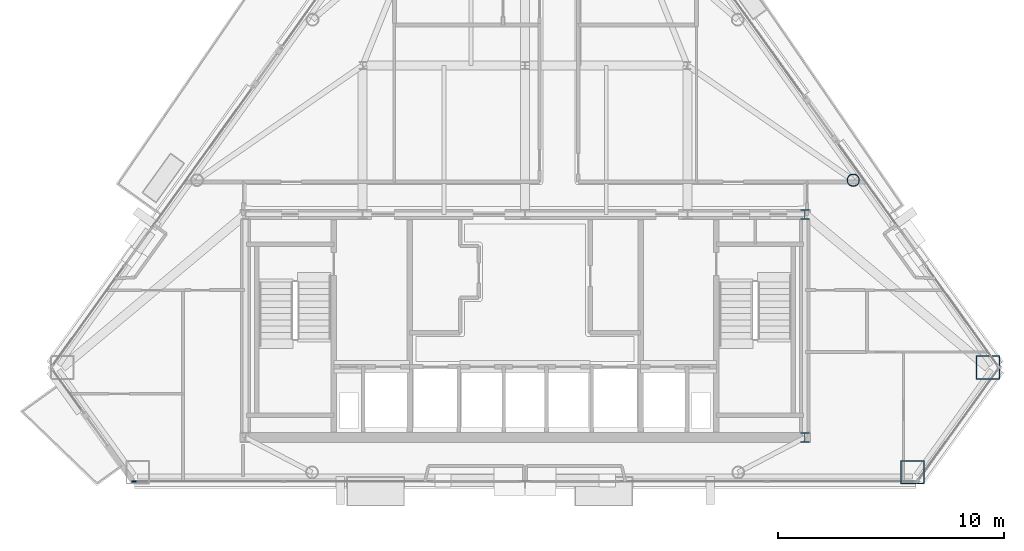
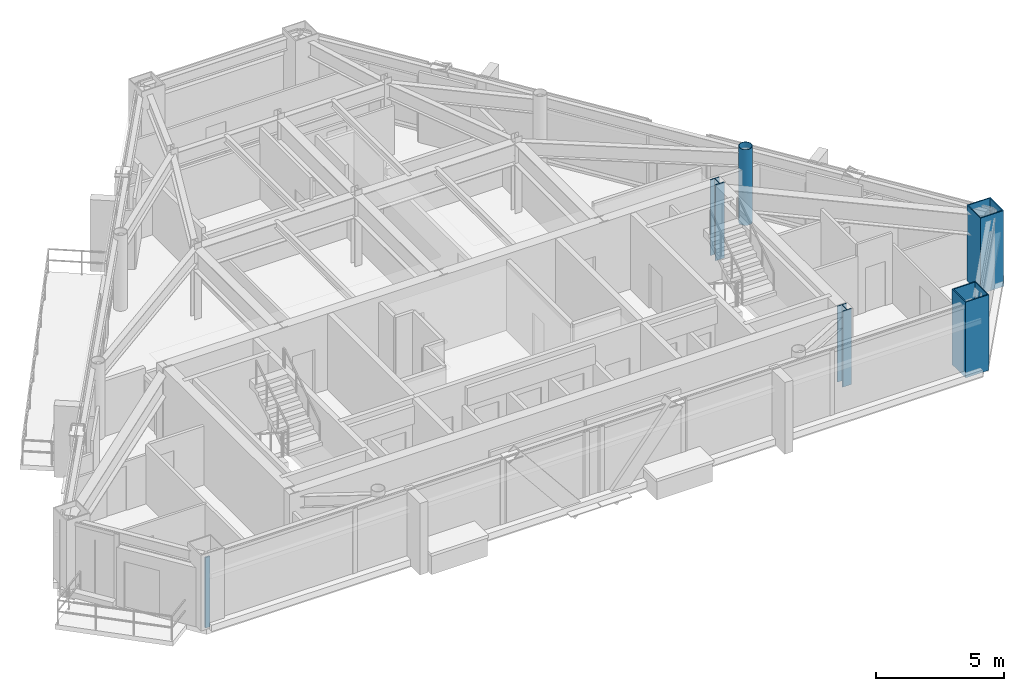
# One storey, part 2 of 12: 5 columns, 1 member, 1 element without a shape of its own.
"""IFC4 building model written with IfcOpenShell, lengths in metres."""

from ifc_helpers import new_model, si_unit, direction, frame, origin, origin_2d, place, context, subcontext, project, spatial, rectangle, hollow_rectangle, hollow_circle, i_section, extrude, material, layer, layer_set, material_profile, profile_set, type_object, element, aggregate, save


model = new_model("IFC4")

# Units and contexts
model_context = context("Model", 3, precision=1e-05, world=origin(), true_north=direction((0.0, 1.0)))
body_context = subcontext(model_context, "Body", "Model", "MODEL_VIEW")
ifc_project = project(units=[si_unit("LENGTHUNIT", "METRE"), si_unit("AREAUNIT", "SQUARE_METRE"), si_unit("VOLUMEUNIT", "CUBIC_METRE"), si_unit("PLANEANGLEUNIT", "RADIAN"), si_unit("MASSUNIT", "GRAM", prefix="KILO")], contexts=[model_context])

# Site, building, storey
site_placement = place(None, origin())
site = spatial("IfcSite", under=ifc_project, at=site_placement, CompositionType="ELEMENT")
building_placement = place(site_placement, origin())
building = spatial("IfcBuilding", under=site, at=building_placement, Name="Talgorran Terracotta Tower", CompositionType="ELEMENT")
storey_placement = place(building_placement, frame((0.0, 0.0, 189.300048828125)))
storey = spatial("IfcBuildingStorey", under=building, at=storey_placement, Name="L49", CompositionType="ELEMENT", Elevation=189.300048828125)

# Columns
ifc_material_1 = material(Name="Steel S355 (300PLUS)", Category="steel")
ifc_material_profile_1 = material_profile(ifc_material_1, i_section(OverallWidth=0.39990234375, OverallDepth=0.43994140625, WebThickness=0.028076171875, FlangeThickness=0.0400390625, at=origin_2d()), Name="400WC328")
ifc_profile_set_1 = profile_set([ifc_material_profile_1], Name="Steel S355 (300PLUS)")
column_type_1 = type_object("IfcColumnType", Name="COL_400WC328", PredefinedType="COLUMN", material=ifc_profile_set_1)
for number, where, z_axis, x_axis, name in (
    (1, (12.39990234375, -14.10009765625, 0.0), (0.0, 0.0, 1.0), (1.0, 0.0, 0.0), "L49 Core Boundary Column CC2"),
    (2, (12.39990234375, -4.199951171875, 0.0), (0.0, 0.0, 1.0), (1.0, 0.0, 0.0), "L49 Core Boundary Column CC3"),
):
    element("IfcColumn", number, at=place(storey_placement, frame(where, z_axis=z_axis, x_axis=x_axis)), inside=storey, type_object=column_type_1, Name=name, PredefinedType="COLUMN", context=body_context, shape_type="SweptSolid", body=[
        extrude(i_section(OverallWidth=0.39990234375, OverallDepth=0.43994140625, WebThickness=0.028076171875, FlangeThickness=0.0400390625, at=origin_2d()), origin(), (0.0, 0.0, 1.0), 3.599853515625),
    ])
ifc_material_2 = material(Name="Steel Grade 350 (350L0)", Category="steel")
ifc_material_profile_2 = material_profile(ifc_material_2, hollow_rectangle(XDim=1.050048828125, YDim=1.050048828125, WallThickness=0.044921875, at=origin_2d()), Name="CFT1050X1050X45")
ifc_profile_set_2 = profile_set([ifc_material_profile_2], Name="Steel Grade 350 (350L0)")
column_type_2 = type_object("IfcColumnType", Name="COL_CFT_1050", PredefinedType="COLUMN", material=ifc_profile_set_2)
for number, where, z_axis, x_axis, name in (
    (3, (17.1796875, -15.64111328125, 0.0), (0.0, 0.0, 1.0), (1.0, 0.0, 0.0), "L49 Corner CFT Mega-Column MC3"),
    (4, (20.524169921875, -10.9921875, 0.0), (0.0, 0.0, 1.0), (1.0, 0.0, 0.0), "L49 Corner CFT Mega-Column MC4"),
):
    element("IfcColumn", number, at=place(storey_placement, frame(where, z_axis=z_axis, x_axis=x_axis)), inside=storey, type_object=column_type_2, Name=name, PredefinedType="COLUMN", context=body_context, shape_type="SweptSolid", body=[
        extrude(hollow_rectangle(XDim=1.050048828125, YDim=1.050048828125, WallThickness=0.044921875, at=origin_2d()), origin(), (0.0, 0.0, 1.0), 3.599853515625),
    ])
ifc_material_profile_3 = material_profile(ifc_material_2, hollow_circle(Radius=0.27490234375, WallThickness=0.02392578125, at=origin_2d()), Name="CHS550X24")
ifc_profile_set_3 = profile_set([ifc_material_profile_3], Name="Steel Grade 350 (350L0)")
column_type_3 = type_object("IfcColumnType", Name="COL_CHS_550", PredefinedType="COLUMN", material=ifc_profile_set_3)
column_placement = place(storey_placement, frame((14.548828125, -2.686279296875, 0.0), z_axis=(0.0, 0.0, 1.0), x_axis=(1.0, 0.0, 0.0)))
element("IfcColumn", 5, at=column_placement, inside=storey, type_object=column_type_3, Name="L49 Facet Perimeter Column FC3", PredefinedType="COLUMN", context=body_context, shape_type="SweptSolid", body=[
    extrude(hollow_circle(Radius=0.27490234375, WallThickness=0.02392578125, at=origin_2d()), origin(), (0.0, 0.0, 1.0), 3.599853515625),
])

# Curtain wall, member
ifc_material_3 = material(Name="High-Wind Unitised Glazing", Category="glass")
ifc_layer = layer(ifc_material_3, 0.2099609375, Name="CW_SYS3_RES_HIGH")
ifc_layer_set = layer_set([ifc_layer], Name="High-Wind Unitised Glazing")
curtain_wall_type = type_object("IfcCurtainWallType", Name="CW_SYS3_RES_HIGH", PredefinedType="NOTDEFINED", material=ifc_layer_set)
curtain_wall_placement = place(storey_placement, origin())
curtain_wall = element("IfcCurtainWall", 6, at=curtain_wall_placement, inside=storey, type_object=curtain_wall_type, Name="CW-L49-F1", PredefinedType="NOTDEFINED")
ifc_material_4 = material(Name="Architectural Aluminium 6063-T6", Category="aluminium")
ifc_material_profile_4 = material_profile(ifc_material_4, rectangle(XDim=0.070068359375, YDim=0.199951171875, at=origin_2d()), Name="CWM70X200")
ifc_profile_set_4 = profile_set([ifc_material_profile_4], Name="Architectural Aluminium 6063-T6")
member_type = type_object("IfcMemberType", Name="MUL_70X200", PredefinedType="MULLION", material=ifc_profile_set_4)
member_placement = place(storey_placement, frame((-17.349609375, -16.041015625, 0.0), z_axis=(0.0, 0.0, 1.0), x_axis=(0.0, 1.0, 0.0)))
member = element("IfcMember", 7, at=member_placement, type_object=member_type, Name="CW-L49-1 mullion 1", PredefinedType="MULLION", context=body_context, shape_type="SweptSolid", body=[
    extrude(rectangle(XDim=0.070068359375, YDim=0.199951171875, at=origin_2d()), origin(), (0.0, 0.0, 1.0), 3.349853515625),
])
aggregate(curtain_wall, [member])

save(model, "model.ifc")
